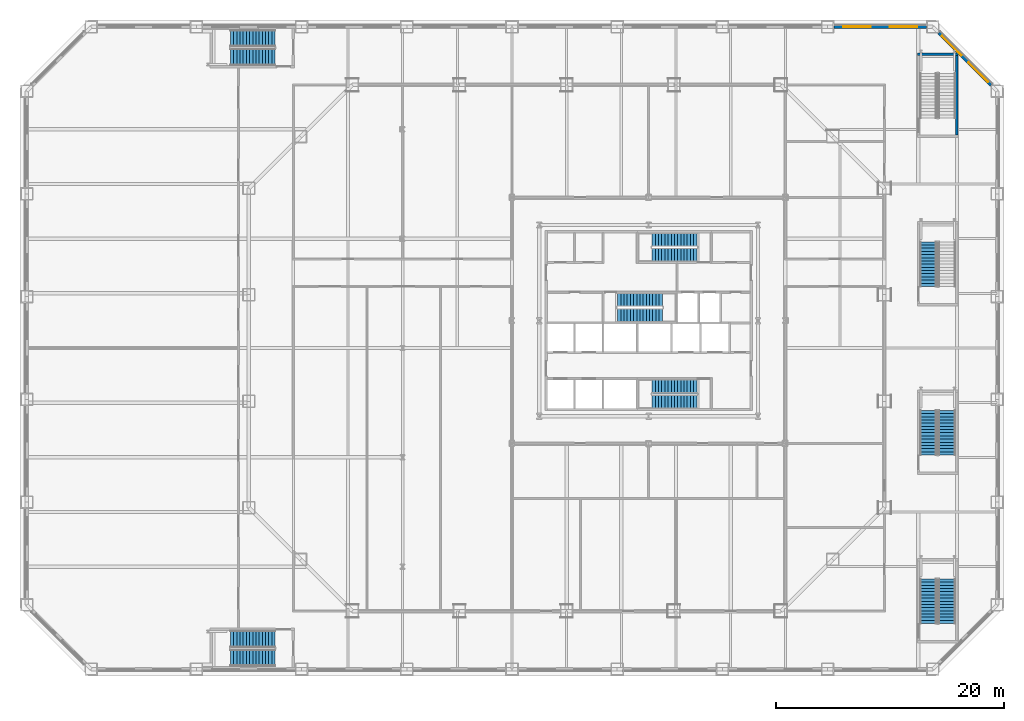
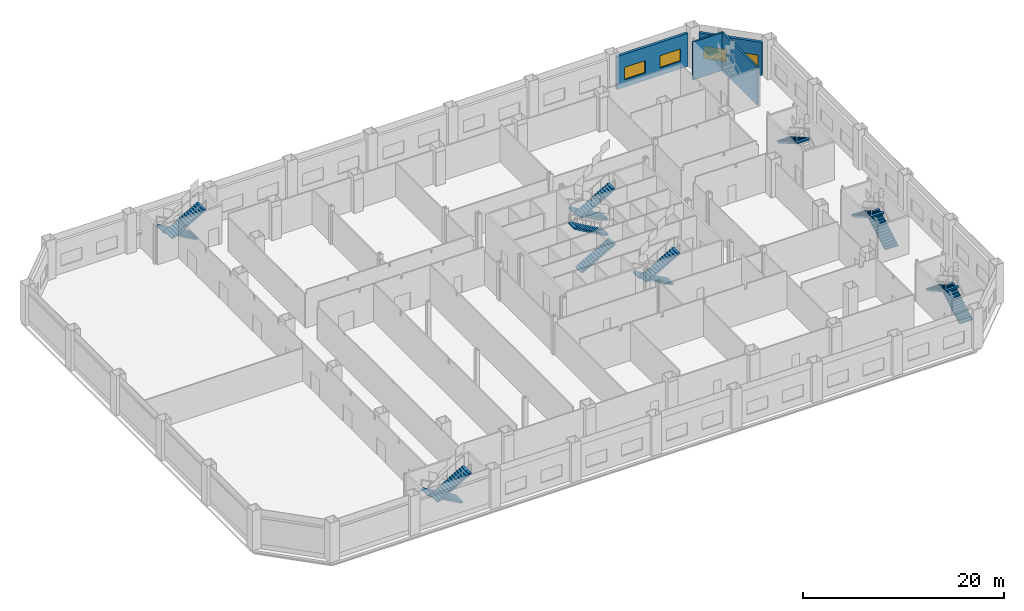
# One storey, part 19 of 26: 15 stair flights, 4 walls, 4 windows, 4 openings, 8 elements without a shape of their own.
"""IFC4 building model written with IfcOpenShell, lengths in metres."""

from ifc_helpers import new_model, si_unit, direction, frame, frame_2d, origin, place, context, subcontext, project, spatial, polyline, rectangle, outline, extrude, material, layer, layer_set, type_object, element, fill, aggregate, save


model = new_model("IFC4")

# Units and contexts
model_context = context("Model", 3, precision=1e-05, world=origin(), true_north=direction((0.0, 1.0)))
body_context = subcontext(model_context, "Body", "Model", "MODEL_VIEW")
ifc_project = project(units=[si_unit("LENGTHUNIT", "METRE"), si_unit("AREAUNIT", "SQUARE_METRE"), si_unit("VOLUMEUNIT", "CUBIC_METRE"), si_unit("PLANEANGLEUNIT", "RADIAN"), si_unit("MASSUNIT", "GRAM", prefix="KILO")], contexts=[model_context])

# Site, building, storey
site_placement = place(None, origin())
site = spatial("IfcSite", under=ifc_project, at=site_placement, CompositionType="ELEMENT")
building_placement = place(site_placement, origin())
building = spatial("IfcBuilding", under=site, at=building_placement, Name="Cairn Pilgrim Tower", CompositionType="ELEMENT")
storey_placement = place(building_placement, frame((0.0, 0.0, 25.800048828125)))
storey = spatial("IfcBuildingStorey", under=building, at=storey_placement, Name="L04", CompositionType="ELEMENT", Elevation=25.800048828125)

# Walls
ifc_material_1 = material(Name="Concrete C35/45", Category="concrete")
ifc_layer_1 = layer(ifc_material_1, 0.199951171875)
ifc_layer_set_1 = layer_set([ifc_layer_1], Name="PODIUM STAIR WALL 200 EI 120")
wall_type_1 = type_object("IfcWallType", Name="PODIUM STAIR WALL 200 EI 120", PredefinedType="SOLIDWALL", material=ifc_layer_set_1)
wall_1_placement = place(storey_placement, frame((34.25, 18.699951171875, 0.0), z_axis=(0.0, 0.0, 1.0), x_axis=(0.0, 1.0, 0.0)))
element("IfcWall", 1, at=wall_1_placement, inside=storey, type_object=wall_type_1, Name="STAIR SHAFT WALL W067", PredefinedType="SOLIDWALL", context=body_context, shape_type="SweptSolid", body=[
    extrude(rectangle(XDim=7.0, YDim=0.199951171875, at=frame_2d((3.5, 0.0))), origin(), (0.0, 0.0, 1.0), 4.599853515625),
])
wall_2_placement = place(storey_placement, frame((30.800048828125, 25.800048828125, 0.0), z_axis=(0.0, 0.0, 1.0), x_axis=(1.0, 0.0, 0.0)))
element("IfcWall", 2, at=wall_2_placement, inside=storey, type_object=wall_type_1, Name="STAIR SHAFT WALL W078", PredefinedType="SOLIDWALL", context=body_context, shape_type="SweptSolid", body=[
    extrude(rectangle(XDim=3.550048828125, YDim=0.199951171875, at=frame_2d((1.77490234375, 0.0))), origin(), (0.0, 0.0, 1.0), 4.599853515625),
])

# Wall, openings, windows
ifc_material_2 = material(Name="Concrete C35/45 backup wall with bronze aluminium cladding", Category="concrete")
ifc_layer_2 = layer(ifc_material_2, 0.300048828125)
ifc_layer_set_2 = layer_set([ifc_layer_2], Name="PODIUM WALL 300 BRONZE-CLAD")
wall_type_2 = type_object("IfcWallType", Name="PODIUM WALL 300 BRONZE-CLAD", PredefinedType="SOLIDWALL", material=ifc_layer_set_2)
wall_3_placement = place(storey_placement, frame((37.276611328125, 23.07470703125, 0.0), z_axis=(0.0, 0.0, 1.0), x_axis=(-0.707088024292, 0.707125537583, 0.0)))
wall_3 = element("IfcWall", 3, at=wall_3_placement, inside=storey, type_object=wall_type_2, Name="PODIUM EXTERNAL WALL NE1-N1", PredefinedType="SOLIDWALL", context=body_context, shape_type="SweptSolid", body=[
    extrude(rectangle(XDim=6.508056640625, YDim=0.300048828125, at=frame_2d((3.25390625, 0.0))), origin(), (0.0, 0.0, 1.0), 4.0),
])
opening_1_placement = place(wall_3_placement, frame((0.427001953125, 0.0, 0.89990234375)))
opening_1 = element("IfcOpeningElement", 4, at=opening_1_placement, cuts=wall_3, Name="Opening PW15", PredefinedType="OPENING", context=body_context, shape_type="SweptSolid", body=[
    extrude(rectangle(XDim=2.39990234375, YDim=1.5, at=frame_2d((1.199951171875, 0.75))), frame((0.0, 0.16015625, 0.0), z_axis=(0.0, -1.0, 0.0), x_axis=(1.0, 0.0, 0.0)), (0.0, 0.0, 1.0), 0.320068359375),
])
opening_2_placement = place(wall_3_placement, frame((3.68115234375, 0.0, 0.89990234375)))
opening_2 = element("IfcOpeningElement", 5, at=opening_2_placement, cuts=wall_3, Name="Opening PW15", PredefinedType="OPENING", context=body_context, shape_type="SweptSolid", body=[
    extrude(rectangle(XDim=2.39990234375, YDim=1.5, at=frame_2d((1.199951171875, 0.75))), frame((0.0, 0.16015625, 0.0), z_axis=(0.0, -1.0, 0.0), x_axis=(1.0, 0.0, 0.0)), (0.0, 0.0, 1.0), 0.320068359375),
])
ifc_material_3 = material(Name="Bronze anodised aluminium frame with tinted low-E glass", Category="aluminium")
window_type = type_object("IfcWindowType", Name="PODIUM FIXED WINDOW 2400x1500", PartitioningType="SINGLE_PANEL", PredefinedType="WINDOW", material=ifc_material_3)
window_1_placement = place(opening_1_placement, origin())
window_1 = element("IfcWindow", 6, at=window_1_placement, inside=storey, type_object=window_type, Name="PODIUM WINDOW", OverallHeight=1.5, OverallWidth=2.39990234375, PartitioningType="SINGLE_PANEL", PredefinedType="WINDOW", context=body_context, shape_type="SweptSolid", body=[
    extrude(rectangle(XDim=2.39990234375, YDim=1.5, at=frame_2d((1.199951171875, 0.75))), frame((0.0, 0.030029296875, 0.0), z_axis=(0.0, -1.0, 0.0), x_axis=(1.0, 0.0, 0.0)), (0.0, 0.0, 1.0), 0.06005859375),
])
fill(opening_1, window_1)
window_2_placement = place(opening_2_placement, origin())
window_2 = element("IfcWindow", 7, at=window_2_placement, inside=storey, type_object=window_type, Name="PODIUM WINDOW", OverallHeight=1.5, OverallWidth=2.39990234375, PartitioningType="SINGLE_PANEL", PredefinedType="WINDOW", context=body_context, shape_type="SweptSolid", body=[
    extrude(rectangle(XDim=2.39990234375, YDim=1.5, at=frame_2d((1.199951171875, 0.75))), frame((0.0, 0.030029296875, 0.0), z_axis=(0.0, -1.0, 0.0), x_axis=(1.0, 0.0, 0.0)), (0.0, 0.0, 1.0), 0.06005859375),
])
fill(opening_2, window_2)

wall_4_placement = place(storey_placement, frame((31.6015625, 28.199951171875, 0.0), z_axis=(0.0, 0.0, 1.0), x_axis=(-1.0, 0.0, 0.0)))
wall_4 = element("IfcWall", 8, at=wall_4_placement, inside=storey, type_object=wall_type_2, Name="PODIUM EXTERNAL WALL N1-N2", PredefinedType="SOLIDWALL", context=body_context, shape_type="SweptSolid", body=[
    extrude(rectangle(XDim=8.137939453125, YDim=0.300048828125, at=frame_2d((4.06884765625, 0.0))), origin(), (0.0, 0.0, 1.0), 4.0),
])
opening_3_placement = place(wall_4_placement, frame((0.83447265625, 0.0, 0.89990234375)))
opening_3 = element("IfcOpeningElement", 9, at=opening_3_placement, cuts=wall_4, Name="Opening PW15", PredefinedType="OPENING", context=body_context, shape_type="SweptSolid", body=[
    extrude(rectangle(XDim=2.39990234375, YDim=1.5, at=frame_2d((1.199951171875, 0.75))), frame((0.0, 0.16015625, 0.0), z_axis=(0.0, -1.0, 0.0), x_axis=(1.0, 0.0, 0.0)), (0.0, 0.0, 1.0), 0.320068359375),
])
opening_4_placement = place(wall_4_placement, frame((4.9033203125, 0.0, 0.89990234375)))
opening_4 = element("IfcOpeningElement", 10, at=opening_4_placement, cuts=wall_4, Name="Opening PW15", PredefinedType="OPENING", context=body_context, shape_type="SweptSolid", body=[
    extrude(rectangle(XDim=2.39990234375, YDim=1.5, at=frame_2d((1.199951171875, 0.75))), frame((0.0, 0.16015625, 0.0), z_axis=(0.0, -1.0, 0.0), x_axis=(1.0, 0.0, 0.0)), (0.0, 0.0, 1.0), 0.320068359375),
])
window_3_placement = place(opening_3_placement, origin())
window_3 = element("IfcWindow", 11, at=window_3_placement, inside=storey, type_object=window_type, Name="PODIUM WINDOW", OverallHeight=1.5, OverallWidth=2.39990234375, PartitioningType="SINGLE_PANEL", PredefinedType="WINDOW", context=body_context, shape_type="SweptSolid", body=[
    extrude(rectangle(XDim=2.39990234375, YDim=1.5, at=frame_2d((1.199951171875, 0.75))), frame((0.0, 0.030029296875, 0.0), z_axis=(0.0, -1.0, 0.0), x_axis=(1.0, 0.0, 0.0)), (0.0, 0.0, 1.0), 0.06005859375),
])
fill(opening_3, window_3)
window_4_placement = place(opening_4_placement, origin())
window_4 = element("IfcWindow", 12, at=window_4_placement, inside=storey, type_object=window_type, Name="PODIUM WINDOW", OverallHeight=1.5, OverallWidth=2.39990234375, PartitioningType="SINGLE_PANEL", PredefinedType="WINDOW", context=body_context, shape_type="SweptSolid", body=[
    extrude(rectangle(XDim=2.39990234375, YDim=1.5, at=frame_2d((1.199951171875, 0.75))), frame((0.0, 0.030029296875, 0.0), z_axis=(0.0, -1.0, 0.0), x_axis=(1.0, 0.0, 0.0)), (0.0, 0.0, 1.0), 0.06005859375),
])
fill(opening_4, window_4)

# Stair, stair flights
stair_type_1 = type_object("IfcStairType", Name="PODIUM EXIT STAIR 1500", PredefinedType="HALF_TURN_STAIR", material=ifc_material_1)
stair_1_placement = place(storey_placement, origin())
stair_1 = element("IfcStair", 13, at=stair_1_placement, inside=storey, type_object=stair_type_1, Name="L04 Exit Stair Hn", PredefinedType="HALF_TURN_STAIR")
stair_flight_type_1 = type_object("IfcStairFlightType", Name="PODIUM STAIR FLIGHT 1500", PredefinedType="STRAIGHT", material=ifc_material_1)
stair_flight_1_placement = place(storey_placement, frame((-25.60009765625, 27.199951171875, 0.0), z_axis=(0.0, 0.0, 1.0), x_axis=(-1.0, 0.0, 0.0)))
stair_flight_1 = element("IfcStairFlight", 14, at=stair_flight_1_placement, type_object=stair_flight_type_1, Name="ST-HN flight 1", NumberOfRisers=15, NumberOfTreads=14, PredefinedType="STRAIGHT", RiserHeight=0.16, TreadLength=0.28, context=body_context, shape_type="SweptSolid", body=[
    extrude(outline(polyline([(0.0, 0.0), (0.0, 0.159912109375), (0.280029296875, 0.159912109375), (0.280029296875, 0.320068359375), (0.56005859375, 0.320068359375), (0.56005859375, 0.47998046875), (0.840087890625, 0.47998046875), (0.840087890625, 0.639892578125), (1.1201171875, 0.639892578125), (1.1201171875, 0.800048828125), (1.39990234375, 0.800048828125), (1.39990234375, 0.9599609375), (1.679931640625, 0.9599609375), (1.679931640625, 1.1201171875), (1.9599609375, 1.1201171875), (1.9599609375, 1.280029296875), (2.239990234375, 1.280029296875), (2.239990234375, 1.43994140625), (2.52001953125, 1.43994140625), (2.52001953125, 1.60009765625), (2.800048828125, 1.60009765625), (2.800048828125, 1.760009765625), (3.080078125, 1.760009765625), (3.080078125, 1.919921875), (3.360107421875, 1.919921875), (3.360107421875, 2.080078125), (3.639892578125, 2.080078125), (3.639892578125, 2.239990234375), (3.919921875, 2.239990234375), (3.919921875, 2.39990234375), (3.919921875, 2.0673828125), (0.30224609375, 0.0), (0.0, 0.0)])), frame((0.0, 0.75, 0.0), z_axis=(0.0, -1.0, 0.0), x_axis=(1.0, 0.0, 0.0)), (0.0, 0.0, 1.0), 1.5),
])
stair_flight_2_placement = place(storey_placement, frame((-29.52001953125, 25.550048828125, 2.39990234375), z_axis=(0.0, 0.0, 1.0), x_axis=(1.0, 0.0, 0.0)))
stair_flight_2 = element("IfcStairFlight", 15, at=stair_flight_2_placement, type_object=stair_flight_type_1, Name="ST-HN flight 2", NumberOfRisers=15, NumberOfTreads=14, PredefinedType="STRAIGHT", RiserHeight=0.16, TreadLength=0.28, context=body_context, shape_type="SweptSolid", body=[
    extrude(outline(polyline([(0.0, 0.0), (0.0, 0.159912109375), (0.280029296875, 0.159912109375), (0.280029296875, 0.320068359375), (0.56005859375, 0.320068359375), (0.56005859375, 0.47998046875), (0.840087890625, 0.47998046875), (0.840087890625, 0.639892578125), (1.1201171875, 0.639892578125), (1.1201171875, 0.800048828125), (1.39990234375, 0.800048828125), (1.39990234375, 0.9599609375), (1.679931640625, 0.9599609375), (1.679931640625, 1.1201171875), (1.9599609375, 1.1201171875), (1.9599609375, 1.280029296875), (2.239990234375, 1.280029296875), (2.239990234375, 1.43994140625), (2.52001953125, 1.43994140625), (2.52001953125, 1.60009765625), (2.800048828125, 1.60009765625), (2.800048828125, 1.760009765625), (3.080078125, 1.760009765625), (3.080078125, 1.919921875), (3.360107421875, 1.919921875), (3.360107421875, 2.080078125), (3.639892578125, 2.080078125), (3.639892578125, 2.239990234375), (3.919921875, 2.239990234375), (3.919921875, 2.39990234375), (3.919921875, 2.0673828125), (0.30224609375, 0.0), (0.0, 0.0)])), frame((0.0, 0.75, 0.0), z_axis=(0.0, -1.0, 0.0), x_axis=(1.0, 0.0, 0.0)), (0.0, 0.0, 1.0), 1.5),
])
aggregate(stair_1, [stair_flight_1, stair_flight_2])

stair_2_placement = place(storey_placement, origin())
stair_2 = element("IfcStair", 16, at=stair_2_placement, inside=storey, type_object=stair_type_1, Name="L04 Exit Stair Hs", PredefinedType="HALF_TURN_STAIR")
stair_flight_3_placement = place(storey_placement, frame((-25.60009765625, -25.550048828125, 0.0), z_axis=(0.0, 0.0, 1.0), x_axis=(-1.0, 0.0, 0.0)))
stair_flight_3 = element("IfcStairFlight", 17, at=stair_flight_3_placement, type_object=stair_flight_type_1, Name="ST-HS flight 1", NumberOfRisers=15, NumberOfTreads=14, PredefinedType="STRAIGHT", RiserHeight=0.16, TreadLength=0.28, context=body_context, shape_type="SweptSolid", body=[
    extrude(outline(polyline([(0.0, 0.0), (0.0, 0.159912109375), (0.280029296875, 0.159912109375), (0.280029296875, 0.320068359375), (0.56005859375, 0.320068359375), (0.56005859375, 0.47998046875), (0.840087890625, 0.47998046875), (0.840087890625, 0.639892578125), (1.1201171875, 0.639892578125), (1.1201171875, 0.800048828125), (1.39990234375, 0.800048828125), (1.39990234375, 0.9599609375), (1.679931640625, 0.9599609375), (1.679931640625, 1.1201171875), (1.9599609375, 1.1201171875), (1.9599609375, 1.280029296875), (2.239990234375, 1.280029296875), (2.239990234375, 1.43994140625), (2.52001953125, 1.43994140625), (2.52001953125, 1.60009765625), (2.800048828125, 1.60009765625), (2.800048828125, 1.760009765625), (3.080078125, 1.760009765625), (3.080078125, 1.919921875), (3.360107421875, 1.919921875), (3.360107421875, 2.080078125), (3.639892578125, 2.080078125), (3.639892578125, 2.239990234375), (3.919921875, 2.239990234375), (3.919921875, 2.39990234375), (3.919921875, 2.0673828125), (0.30224609375, 0.0), (0.0, 0.0)])), frame((0.0, 0.75, 0.0), z_axis=(0.0, -1.0, 0.0), x_axis=(1.0, 0.0, 0.0)), (0.0, 0.0, 1.0), 1.5),
])
stair_flight_4_placement = place(storey_placement, frame((-29.52001953125, -27.199951171875, 2.39990234375), z_axis=(0.0, 0.0, 1.0), x_axis=(1.0, 0.0, 0.0)))
stair_flight_4 = element("IfcStairFlight", 18, at=stair_flight_4_placement, type_object=stair_flight_type_1, Name="ST-HS flight 2", NumberOfRisers=15, NumberOfTreads=14, PredefinedType="STRAIGHT", RiserHeight=0.16, TreadLength=0.28, context=body_context, shape_type="SweptSolid", body=[
    extrude(outline(polyline([(0.0, 0.0), (0.0, 0.159912109375), (0.280029296875, 0.159912109375), (0.280029296875, 0.320068359375), (0.56005859375, 0.320068359375), (0.56005859375, 0.47998046875), (0.840087890625, 0.47998046875), (0.840087890625, 0.639892578125), (1.1201171875, 0.639892578125), (1.1201171875, 0.800048828125), (1.39990234375, 0.800048828125), (1.39990234375, 0.9599609375), (1.679931640625, 0.9599609375), (1.679931640625, 1.1201171875), (1.9599609375, 1.1201171875), (1.9599609375, 1.280029296875), (2.239990234375, 1.280029296875), (2.239990234375, 1.43994140625), (2.52001953125, 1.43994140625), (2.52001953125, 1.60009765625), (2.800048828125, 1.60009765625), (2.800048828125, 1.760009765625), (3.080078125, 1.760009765625), (3.080078125, 1.919921875), (3.360107421875, 1.919921875), (3.360107421875, 2.080078125), (3.639892578125, 2.080078125), (3.639892578125, 2.239990234375), (3.919921875, 2.239990234375), (3.919921875, 2.39990234375), (3.919921875, 2.0673828125), (0.30224609375, 0.0), (0.0, 0.0)])), frame((0.0, 0.75, 0.0), z_axis=(0.0, -1.0, 0.0), x_axis=(1.0, 0.0, 0.0)), (0.0, 0.0, 1.0), 1.5),
])
aggregate(stair_2, [stair_flight_3, stair_flight_4])

stair_3_placement = place(storey_placement, origin())
stair_3 = element("IfcStair", 19, at=stair_3_placement, inside=storey, type_object=stair_type_1, Name="L04 Exit Stair Es1", PredefinedType="HALF_TURN_STAIR")
stair_flight_5_placement = place(storey_placement, frame((33.39990234375, -24.199951171875, 0.0), z_axis=(0.0, 0.0, 1.0), x_axis=(0.0, 1.0, 0.0)))
stair_flight_5 = element("IfcStairFlight", 20, at=stair_flight_5_placement, type_object=stair_flight_type_1, Name="ST-ES1 flight 1", NumberOfRisers=15, NumberOfTreads=14, PredefinedType="STRAIGHT", RiserHeight=0.16, TreadLength=0.28, context=body_context, shape_type="SweptSolid", body=[
    extrude(outline(polyline([(0.0, 0.0), (0.0, 0.159912109375), (0.280029296875, 0.159912109375), (0.280029296875, 0.320068359375), (0.56005859375, 0.320068359375), (0.56005859375, 0.47998046875), (0.840087890625, 0.47998046875), (0.840087890625, 0.639892578125), (1.1201171875, 0.639892578125), (1.1201171875, 0.800048828125), (1.39990234375, 0.800048828125), (1.39990234375, 0.9599609375), (1.679931640625, 0.9599609375), (1.679931640625, 1.1201171875), (1.9599609375, 1.1201171875), (1.9599609375, 1.280029296875), (2.239990234375, 1.280029296875), (2.239990234375, 1.43994140625), (2.52001953125, 1.43994140625), (2.52001953125, 1.60009765625), (2.800048828125, 1.60009765625), (2.800048828125, 1.760009765625), (3.080078125, 1.760009765625), (3.080078125, 1.919921875), (3.360107421875, 1.919921875), (3.360107421875, 2.080078125), (3.639892578125, 2.080078125), (3.639892578125, 2.239990234375), (3.919921875, 2.239990234375), (3.919921875, 2.39990234375), (3.919921875, 2.0673828125), (0.30224609375, 0.0), (0.0, 0.0)])), frame((0.0, 0.75, 0.0), z_axis=(0.0, -1.0, 0.0), x_axis=(1.0, 0.0, 0.0)), (0.0, 0.0, 1.0), 1.5),
])
stair_flight_6_placement = place(storey_placement, frame((31.75, -20.280029296875, 2.39990234375), z_axis=(0.0, 0.0, 1.0), x_axis=(0.0, -1.0, 0.0)))
stair_flight_6 = element("IfcStairFlight", 21, at=stair_flight_6_placement, type_object=stair_flight_type_1, Name="ST-ES1 flight 2", NumberOfRisers=15, NumberOfTreads=14, PredefinedType="STRAIGHT", RiserHeight=0.16, TreadLength=0.28, context=body_context, shape_type="SweptSolid", body=[
    extrude(outline(polyline([(0.0, 0.0), (0.0, 0.159912109375), (0.280029296875, 0.159912109375), (0.280029296875, 0.320068359375), (0.56005859375, 0.320068359375), (0.56005859375, 0.47998046875), (0.840087890625, 0.47998046875), (0.840087890625, 0.639892578125), (1.1201171875, 0.639892578125), (1.1201171875, 0.800048828125), (1.39990234375, 0.800048828125), (1.39990234375, 0.9599609375), (1.679931640625, 0.9599609375), (1.679931640625, 1.1201171875), (1.9599609375, 1.1201171875), (1.9599609375, 1.280029296875), (2.239990234375, 1.280029296875), (2.239990234375, 1.43994140625), (2.52001953125, 1.43994140625), (2.52001953125, 1.60009765625), (2.800048828125, 1.60009765625), (2.800048828125, 1.760009765625), (3.080078125, 1.760009765625), (3.080078125, 1.919921875), (3.360107421875, 1.919921875), (3.360107421875, 2.080078125), (3.639892578125, 2.080078125), (3.639892578125, 2.239990234375), (3.919921875, 2.239990234375), (3.919921875, 2.39990234375), (3.919921875, 2.0673828125), (0.30224609375, 0.0), (0.0, 0.0)])), frame((0.0, 0.75, 0.0), z_axis=(0.0, -1.0, 0.0), x_axis=(1.0, 0.0, 0.0)), (0.0, 0.0, 1.0), 1.5),
])
aggregate(stair_3, [stair_flight_5, stair_flight_6])

stair_4_placement = place(storey_placement, origin())
stair_4 = element("IfcStair", 22, at=stair_4_placement, inside=storey, type_object=stair_type_1, Name="L04 Exit Stair Es2", PredefinedType="HALF_TURN_STAIR")
stair_flight_7_placement = place(storey_placement, frame((33.39990234375, -9.39990234375, 0.0), z_axis=(0.0, 0.0, 1.0), x_axis=(0.0, 1.0, 0.0)))
stair_flight_7 = element("IfcStairFlight", 23, at=stair_flight_7_placement, type_object=stair_flight_type_1, Name="ST-ES2 flight 1", NumberOfRisers=15, NumberOfTreads=14, PredefinedType="STRAIGHT", RiserHeight=0.16, TreadLength=0.28, context=body_context, shape_type="SweptSolid", body=[
    extrude(outline(polyline([(0.0, 0.0), (0.0, 0.159912109375), (0.280029296875, 0.159912109375), (0.280029296875, 0.320068359375), (0.56005859375, 0.320068359375), (0.56005859375, 0.47998046875), (0.840087890625, 0.47998046875), (0.840087890625, 0.639892578125), (1.1201171875, 0.639892578125), (1.1201171875, 0.800048828125), (1.39990234375, 0.800048828125), (1.39990234375, 0.9599609375), (1.679931640625, 0.9599609375), (1.679931640625, 1.1201171875), (1.9599609375, 1.1201171875), (1.9599609375, 1.280029296875), (2.239990234375, 1.280029296875), (2.239990234375, 1.43994140625), (2.52001953125, 1.43994140625), (2.52001953125, 1.60009765625), (2.800048828125, 1.60009765625), (2.800048828125, 1.760009765625), (3.080078125, 1.760009765625), (3.080078125, 1.919921875), (3.360107421875, 1.919921875), (3.360107421875, 2.080078125), (3.639892578125, 2.080078125), (3.639892578125, 2.239990234375), (3.919921875, 2.239990234375), (3.919921875, 2.39990234375), (3.919921875, 2.0673828125), (0.30224609375, 0.0), (0.0, 0.0)])), frame((0.0, 0.75, 0.0), z_axis=(0.0, -1.0, 0.0), x_axis=(1.0, 0.0, 0.0)), (0.0, 0.0, 1.0), 1.5),
])
stair_flight_8_placement = place(storey_placement, frame((31.75, -5.47998046875, 2.39990234375), z_axis=(0.0, 0.0, 1.0), x_axis=(0.0, -1.0, 0.0)))
stair_flight_8 = element("IfcStairFlight", 24, at=stair_flight_8_placement, type_object=stair_flight_type_1, Name="ST-ES2 flight 2", NumberOfRisers=15, NumberOfTreads=14, PredefinedType="STRAIGHT", RiserHeight=0.16, TreadLength=0.28, context=body_context, shape_type="SweptSolid", body=[
    extrude(outline(polyline([(0.0, 0.0), (0.0, 0.159912109375), (0.280029296875, 0.159912109375), (0.280029296875, 0.320068359375), (0.56005859375, 0.320068359375), (0.56005859375, 0.47998046875), (0.840087890625, 0.47998046875), (0.840087890625, 0.639892578125), (1.1201171875, 0.639892578125), (1.1201171875, 0.800048828125), (1.39990234375, 0.800048828125), (1.39990234375, 0.9599609375), (1.679931640625, 0.9599609375), (1.679931640625, 1.1201171875), (1.9599609375, 1.1201171875), (1.9599609375, 1.280029296875), (2.239990234375, 1.280029296875), (2.239990234375, 1.43994140625), (2.52001953125, 1.43994140625), (2.52001953125, 1.60009765625), (2.800048828125, 1.60009765625), (2.800048828125, 1.760009765625), (3.080078125, 1.760009765625), (3.080078125, 1.919921875), (3.360107421875, 1.919921875), (3.360107421875, 2.080078125), (3.639892578125, 2.080078125), (3.639892578125, 2.239990234375), (3.919921875, 2.239990234375), (3.919921875, 2.39990234375), (3.919921875, 2.0673828125), (0.30224609375, 0.0), (0.0, 0.0)])), frame((0.0, 0.75, 0.0), z_axis=(0.0, -1.0, 0.0), x_axis=(1.0, 0.0, 0.0)), (0.0, 0.0, 1.0), 1.5),
])
aggregate(stair_4, [stair_flight_7, stair_flight_8])

# Stair, stair flight
stair_5_placement = place(storey_placement, origin())
stair_5 = element("IfcStair", 25, at=stair_5_placement, inside=storey, type_object=stair_type_1, Name="L04 Exit Stair Es3", PredefinedType="HALF_TURN_STAIR")
stair_flight_9_placement = place(storey_placement, frame((31.75, 9.320068359375, 2.39990234375), z_axis=(0.0, 0.0, 1.0), x_axis=(0.0, -1.0, 0.0)))
stair_flight_9 = element("IfcStairFlight", 26, at=stair_flight_9_placement, type_object=stair_flight_type_1, Name="ST-ES3 flight 2", NumberOfRisers=15, NumberOfTreads=14, PredefinedType="STRAIGHT", RiserHeight=0.16, TreadLength=0.28, context=body_context, shape_type="SweptSolid", body=[
    extrude(outline(polyline([(0.0, 0.0), (0.0, 0.159912109375), (0.280029296875, 0.159912109375), (0.280029296875, 0.320068359375), (0.56005859375, 0.320068359375), (0.56005859375, 0.47998046875), (0.840087890625, 0.47998046875), (0.840087890625, 0.639892578125), (1.1201171875, 0.639892578125), (1.1201171875, 0.800048828125), (1.39990234375, 0.800048828125), (1.39990234375, 0.9599609375), (1.679931640625, 0.9599609375), (1.679931640625, 1.1201171875), (1.9599609375, 1.1201171875), (1.9599609375, 1.280029296875), (2.239990234375, 1.280029296875), (2.239990234375, 1.43994140625), (2.52001953125, 1.43994140625), (2.52001953125, 1.60009765625), (2.800048828125, 1.60009765625), (2.800048828125, 1.760009765625), (3.080078125, 1.760009765625), (3.080078125, 1.919921875), (3.360107421875, 1.919921875), (3.360107421875, 2.080078125), (3.639892578125, 2.080078125), (3.639892578125, 2.239990234375), (3.919921875, 2.239990234375), (3.919921875, 2.39990234375), (3.919921875, 2.0673828125), (0.30224609375, 0.0), (0.0, 0.0)])), frame((0.0, 0.75, 0.0), z_axis=(0.0, -1.0, 0.0), x_axis=(1.0, 0.0, 0.0)), (0.0, 0.0, 1.0), 1.5),
])
aggregate(stair_5, [stair_flight_9])

# Stair, stair flights
ifc_material_4 = material(Name="Concrete C32/40", Category="concrete")
stair_type_2 = type_object("IfcStairType", Name="EXIT STAIR 1200", PredefinedType="HALF_TURN_STAIR", material=ifc_material_4)
stair_6_placement = place(storey_placement, origin())
stair_6 = element("IfcStair", 27, at=stair_6_placement, inside=storey, type_object=stair_type_2, Name="L04 Exit Stair A", PredefinedType="HALF_TURN_STAIR")
stair_flight_type_2 = type_object("IfcStairFlightType", Name="STAIR FLIGHT 1200", PredefinedType="STRAIGHT", material=ifc_material_4)
stair_flight_10_placement = place(storey_placement, frame((11.425048828125, -3.375, 0.0), z_axis=(0.0, 0.0, 1.0), x_axis=(-1.0, 0.0, 0.0)))
stair_flight_10 = element("IfcStairFlight", 28, at=stair_flight_10_placement, type_object=stair_flight_type_2, Name="ST-A flight 1", NumberOfRisers=15, NumberOfTreads=14, PredefinedType="STRAIGHT", RiserHeight=0.16, TreadLength=0.28, context=body_context, shape_type="SweptSolid", body=[
    extrude(outline(polyline([(0.0, 0.0), (0.0, 0.159912109375), (0.280029296875, 0.159912109375), (0.280029296875, 0.320068359375), (0.56005859375, 0.320068359375), (0.56005859375, 0.47998046875), (0.840087890625, 0.47998046875), (0.840087890625, 0.639892578125), (1.1201171875, 0.639892578125), (1.1201171875, 0.800048828125), (1.39990234375, 0.800048828125), (1.39990234375, 0.9599609375), (1.679931640625, 0.9599609375), (1.679931640625, 1.1201171875), (1.9599609375, 1.1201171875), (1.9599609375, 1.280029296875), (2.239990234375, 1.280029296875), (2.239990234375, 1.43994140625), (2.52001953125, 1.43994140625), (2.52001953125, 1.60009765625), (2.800048828125, 1.60009765625), (2.800048828125, 1.760009765625), (3.080078125, 1.760009765625), (3.080078125, 1.919921875), (3.360107421875, 1.919921875), (3.360107421875, 2.080078125), (3.639892578125, 2.080078125), (3.639892578125, 2.239990234375), (3.919921875, 2.239990234375), (3.919921875, 2.39990234375), (3.919921875, 2.0673828125), (0.30224609375, 0.0), (0.0, 0.0)])), frame((0.0, 0.60009765625, 0.0), z_axis=(0.0, -1.0, 0.0), x_axis=(1.0, 0.0, 0.0)), (0.0, 0.0, 1.0), 1.199951171875),
])
stair_flight_11_placement = place(storey_placement, frame((7.5048828125, -4.699951171875, 2.39990234375), z_axis=(0.0, 0.0, 1.0), x_axis=(1.0, 0.0, 0.0)))
stair_flight_11 = element("IfcStairFlight", 29, at=stair_flight_11_placement, type_object=stair_flight_type_2, Name="ST-A flight 2", NumberOfRisers=15, NumberOfTreads=14, PredefinedType="STRAIGHT", RiserHeight=0.16, TreadLength=0.28, context=body_context, shape_type="SweptSolid", body=[
    extrude(outline(polyline([(0.0, 0.0), (0.0, 0.159912109375), (0.280029296875, 0.159912109375), (0.280029296875, 0.320068359375), (0.56005859375, 0.320068359375), (0.56005859375, 0.47998046875), (0.840087890625, 0.47998046875), (0.840087890625, 0.639892578125), (1.1201171875, 0.639892578125), (1.1201171875, 0.800048828125), (1.39990234375, 0.800048828125), (1.39990234375, 0.9599609375), (1.679931640625, 0.9599609375), (1.679931640625, 1.1201171875), (1.9599609375, 1.1201171875), (1.9599609375, 1.280029296875), (2.239990234375, 1.280029296875), (2.239990234375, 1.43994140625), (2.52001953125, 1.43994140625), (2.52001953125, 1.60009765625), (2.800048828125, 1.60009765625), (2.800048828125, 1.760009765625), (3.080078125, 1.760009765625), (3.080078125, 1.919921875), (3.360107421875, 1.919921875), (3.360107421875, 2.080078125), (3.639892578125, 2.080078125), (3.639892578125, 2.239990234375), (3.919921875, 2.239990234375), (3.919921875, 2.39990234375), (3.919921875, 2.0673828125), (0.30224609375, 0.0), (0.0, 0.0)])), frame((0.0, 0.60009765625, 0.0), z_axis=(0.0, -1.0, 0.0), x_axis=(1.0, 0.0, 0.0)), (0.0, 0.0, 1.0), 1.199951171875),
])
aggregate(stair_6, [stair_flight_10, stair_flight_11])

stair_7_placement = place(storey_placement, origin())
stair_7 = element("IfcStair", 30, at=stair_7_placement, inside=storey, type_object=stair_type_2, Name="L04 Exit Stair B", PredefinedType="HALF_TURN_STAIR")
stair_flight_12_placement = place(storey_placement, frame((4.47509765625, 2.875, 0.0), z_axis=(0.0, 0.0, 1.0), x_axis=(1.0, 0.0, 0.0)))
stair_flight_12 = element("IfcStairFlight", 31, at=stair_flight_12_placement, type_object=stair_flight_type_2, Name="ST-B flight 1", NumberOfRisers=15, NumberOfTreads=14, PredefinedType="STRAIGHT", RiserHeight=0.16, TreadLength=0.28, context=body_context, shape_type="SweptSolid", body=[
    extrude(outline(polyline([(0.0, 0.0), (0.0, 0.159912109375), (0.280029296875, 0.159912109375), (0.280029296875, 0.320068359375), (0.56005859375, 0.320068359375), (0.56005859375, 0.47998046875), (0.840087890625, 0.47998046875), (0.840087890625, 0.639892578125), (1.1201171875, 0.639892578125), (1.1201171875, 0.800048828125), (1.39990234375, 0.800048828125), (1.39990234375, 0.9599609375), (1.679931640625, 0.9599609375), (1.679931640625, 1.1201171875), (1.9599609375, 1.1201171875), (1.9599609375, 1.280029296875), (2.239990234375, 1.280029296875), (2.239990234375, 1.43994140625), (2.52001953125, 1.43994140625), (2.52001953125, 1.60009765625), (2.800048828125, 1.60009765625), (2.800048828125, 1.760009765625), (3.080078125, 1.760009765625), (3.080078125, 1.919921875), (3.360107421875, 1.919921875), (3.360107421875, 2.080078125), (3.639892578125, 2.080078125), (3.639892578125, 2.239990234375), (3.919921875, 2.239990234375), (3.919921875, 2.39990234375), (3.919921875, 2.0673828125), (0.30224609375, 0.0), (0.0, 0.0)])), frame((0.0, 0.60009765625, 0.0), z_axis=(0.0, -1.0, 0.0), x_axis=(1.0, 0.0, 0.0)), (0.0, 0.0, 1.0), 1.199951171875),
])
stair_flight_13_placement = place(storey_placement, frame((8.39501953125, 4.22509765625, 2.39990234375), z_axis=(0.0, 0.0, 1.0), x_axis=(-1.0, 0.0, 0.0)))
stair_flight_13 = element("IfcStairFlight", 32, at=stair_flight_13_placement, type_object=stair_flight_type_2, Name="ST-B flight 2", NumberOfRisers=15, NumberOfTreads=14, PredefinedType="STRAIGHT", RiserHeight=0.16, TreadLength=0.28, context=body_context, shape_type="SweptSolid", body=[
    extrude(outline(polyline([(0.0, 0.0), (0.0, 0.159912109375), (0.280029296875, 0.159912109375), (0.280029296875, 0.320068359375), (0.56005859375, 0.320068359375), (0.56005859375, 0.47998046875), (0.840087890625, 0.47998046875), (0.840087890625, 0.639892578125), (1.1201171875, 0.639892578125), (1.1201171875, 0.800048828125), (1.39990234375, 0.800048828125), (1.39990234375, 0.9599609375), (1.679931640625, 0.9599609375), (1.679931640625, 1.1201171875), (1.9599609375, 1.1201171875), (1.9599609375, 1.280029296875), (2.239990234375, 1.280029296875), (2.239990234375, 1.43994140625), (2.52001953125, 1.43994140625), (2.52001953125, 1.60009765625), (2.800048828125, 1.60009765625), (2.800048828125, 1.760009765625), (3.080078125, 1.760009765625), (3.080078125, 1.919921875), (3.360107421875, 1.919921875), (3.360107421875, 2.080078125), (3.639892578125, 2.080078125), (3.639892578125, 2.239990234375), (3.919921875, 2.239990234375), (3.919921875, 2.39990234375), (3.919921875, 2.0673828125), (0.30224609375, 0.0), (0.0, 0.0)])), frame((0.0, 0.60009765625, 0.0), z_axis=(0.0, -1.0, 0.0), x_axis=(1.0, 0.0, 0.0)), (0.0, 0.0, 1.0), 1.199951171875),
])
aggregate(stair_7, [stair_flight_12, stair_flight_13])

stair_8_placement = place(storey_placement, origin())
stair_8 = element("IfcStair", 33, at=stair_8_placement, inside=storey, type_object=stair_type_2, Name="L04 Exit Stair C", PredefinedType="HALF_TURN_STAIR")
stair_flight_14_placement = place(storey_placement, frame((11.425048828125, 9.5, 0.0), z_axis=(0.0, 0.0, 1.0), x_axis=(-1.0, 0.0, 0.0)))
stair_flight_14 = element("IfcStairFlight", 34, at=stair_flight_14_placement, type_object=stair_flight_type_2, Name="ST-C flight 1", NumberOfRisers=15, NumberOfTreads=14, PredefinedType="STRAIGHT", RiserHeight=0.16, TreadLength=0.28, context=body_context, shape_type="SweptSolid", body=[
    extrude(outline(polyline([(0.0, 0.0), (0.0, 0.159912109375), (0.280029296875, 0.159912109375), (0.280029296875, 0.320068359375), (0.56005859375, 0.320068359375), (0.56005859375, 0.47998046875), (0.840087890625, 0.47998046875), (0.840087890625, 0.639892578125), (1.1201171875, 0.639892578125), (1.1201171875, 0.800048828125), (1.39990234375, 0.800048828125), (1.39990234375, 0.9599609375), (1.679931640625, 0.9599609375), (1.679931640625, 1.1201171875), (1.9599609375, 1.1201171875), (1.9599609375, 1.280029296875), (2.239990234375, 1.280029296875), (2.239990234375, 1.43994140625), (2.52001953125, 1.43994140625), (2.52001953125, 1.60009765625), (2.800048828125, 1.60009765625), (2.800048828125, 1.760009765625), (3.080078125, 1.760009765625), (3.080078125, 1.919921875), (3.360107421875, 1.919921875), (3.360107421875, 2.080078125), (3.639892578125, 2.080078125), (3.639892578125, 2.239990234375), (3.919921875, 2.239990234375), (3.919921875, 2.39990234375), (3.919921875, 2.0673828125), (0.30224609375, 0.0), (0.0, 0.0)])), frame((0.0, 0.60009765625, 0.0), z_axis=(0.0, -1.0, 0.0), x_axis=(1.0, 0.0, 0.0)), (0.0, 0.0, 1.0), 1.199951171875),
])
stair_flight_15_placement = place(storey_placement, frame((7.5048828125, 8.175048828125, 2.39990234375), z_axis=(0.0, 0.0, 1.0), x_axis=(1.0, 0.0, 0.0)))
stair_flight_15 = element("IfcStairFlight", 35, at=stair_flight_15_placement, type_object=stair_flight_type_2, Name="ST-C flight 2", NumberOfRisers=15, NumberOfTreads=14, PredefinedType="STRAIGHT", RiserHeight=0.16, TreadLength=0.28, context=body_context, shape_type="SweptSolid", body=[
    extrude(outline(polyline([(0.0, 0.0), (0.0, 0.159912109375), (0.280029296875, 0.159912109375), (0.280029296875, 0.320068359375), (0.56005859375, 0.320068359375), (0.56005859375, 0.47998046875), (0.840087890625, 0.47998046875), (0.840087890625, 0.639892578125), (1.1201171875, 0.639892578125), (1.1201171875, 0.800048828125), (1.39990234375, 0.800048828125), (1.39990234375, 0.9599609375), (1.679931640625, 0.9599609375), (1.679931640625, 1.1201171875), (1.9599609375, 1.1201171875), (1.9599609375, 1.280029296875), (2.239990234375, 1.280029296875), (2.239990234375, 1.43994140625), (2.52001953125, 1.43994140625), (2.52001953125, 1.60009765625), (2.800048828125, 1.60009765625), (2.800048828125, 1.760009765625), (3.080078125, 1.760009765625), (3.080078125, 1.919921875), (3.360107421875, 1.919921875), (3.360107421875, 2.080078125), (3.639892578125, 2.080078125), (3.639892578125, 2.239990234375), (3.919921875, 2.239990234375), (3.919921875, 2.39990234375), (3.919921875, 2.0673828125), (0.30224609375, 0.0), (0.0, 0.0)])), frame((0.0, 0.60009765625, 0.0), z_axis=(0.0, -1.0, 0.0), x_axis=(1.0, 0.0, 0.0)), (0.0, 0.0, 1.0), 1.199951171875),
])
aggregate(stair_8, [stair_flight_14, stair_flight_15])

save(model, "model.ifc")
